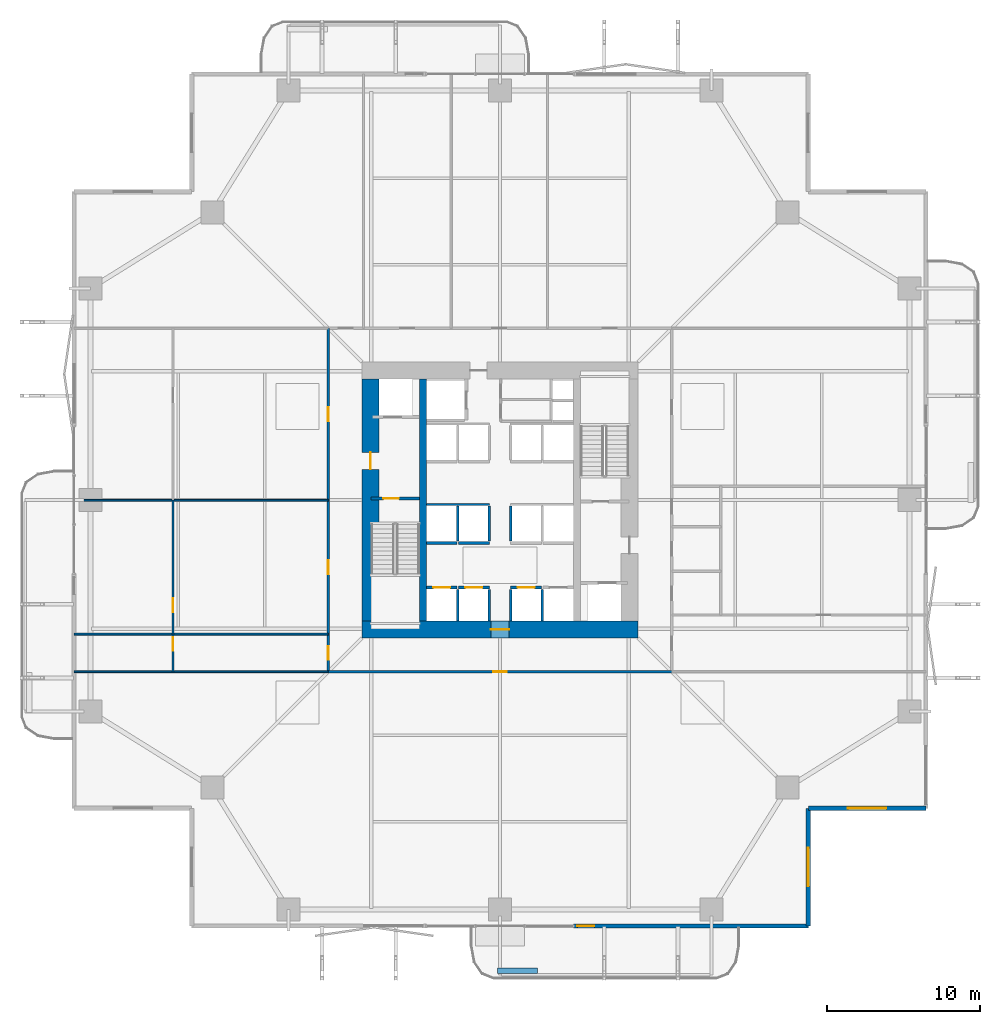
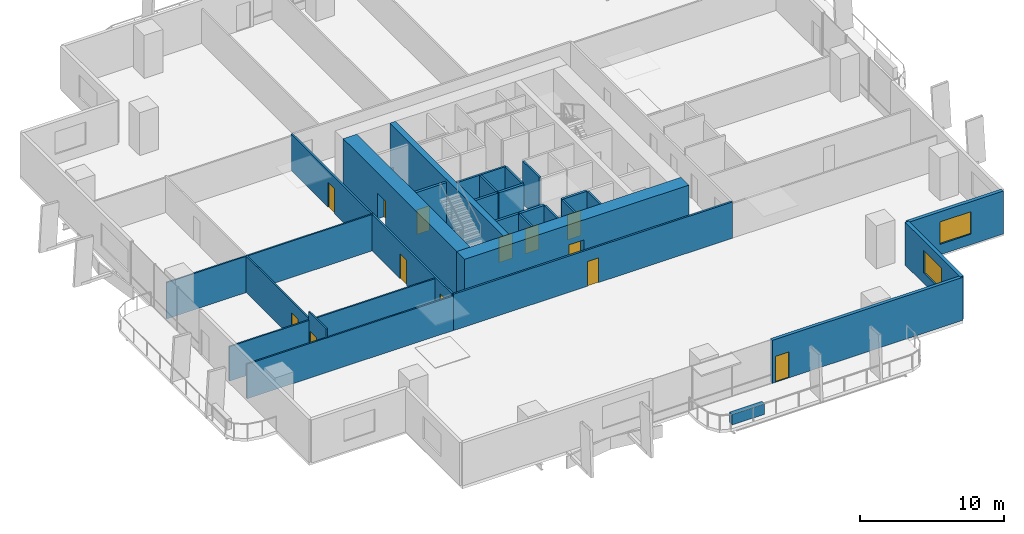
# One storey, part 17 of 24: 28 walls, 13 doors, 2 windows, 15 openings.
"""IFC4 building model written with IfcOpenShell, lengths in metres."""

from ifc_helpers import new_model, si_unit, direction, frame, frame_2d, origin, place, context, subcontext, project, spatial, rectangle, extrude, material, layer, layer_set, type_object, element, fill, save


model = new_model("IFC4")

# Units and contexts
model_context = context("Model", 3, precision=1e-05, world=origin(), true_north=direction((0.0, 1.0)))
body_context = subcontext(model_context, "Body", "Model", "MODEL_VIEW")
ifc_project = project(units=[si_unit("LENGTHUNIT", "METRE"), si_unit("AREAUNIT", "SQUARE_METRE"), si_unit("VOLUMEUNIT", "CUBIC_METRE"), si_unit("PLANEANGLEUNIT", "RADIAN"), si_unit("MASSUNIT", "GRAM", prefix="KILO")], contexts=[model_context])

# Site, building, storey
site_placement = place(None, origin())
site = spatial("IfcSite", under=ifc_project, at=site_placement, CompositionType="ELEMENT")
building_placement = place(site_placement, origin())
building = spatial("IfcBuilding", under=site, at=building_placement, Name="Belovzor Exchange Tower", CompositionType="ELEMENT")
storey_placement = place(building_placement, frame((0.0, 0.0, 45.60009765625)))
storey = spatial("IfcBuildingStorey", under=building, at=storey_placement, Name="L10", CompositionType="ELEMENT", Elevation=45.60009765625)

# Wall
ifc_material_1 = material(Name="Acoustic Plasterboard on Galvanised Studs", Category="gypsum")
ifc_layer_1 = layer(ifc_material_1, 0.1201171875)
ifc_layer_set_1 = layer_set([ifc_layer_1], Name="Acoustic Plasterboard on Galvanised Studs")
wall_type_1 = type_object("IfcWallType", Name="Acoustic Double-Stud Partition Wall 120", PredefinedType="PARTITIONING", material=ifc_layer_set_1)
wall_1_placement = place(storey_placement, frame((1.030029296875, 17.60009765625, 0.0), z_axis=(0.0, 0.0, 1.0), x_axis=(1.0, 0.0, 0.0)))
element("IfcWall", 1, at=wall_1_placement, inside=storey, type_object=wall_type_1, Name="W-P120 Partition Wall W-L10-END-SW", PredefinedType="PARTITIONING", context=body_context, shape_type="SweptSolid", body=[
    extrude(rectangle(XDim=16.570068359375, YDim=0.1201171875, at=frame_2d((8.28515625, 0.0))), origin(), (0.0, 0.0, 1.0), 2.934814453125),
])

# Wall, opening, door
wall_2_placement = place(storey_placement, frame((7.47607421875, 17.60009765625, 0.0), z_axis=(0.0, 0.0, 1.0), x_axis=(0.0, 1.0, 0.0)))
wall_2 = element("IfcWall", 2, at=wall_2_placement, inside=storey, type_object=wall_type_1, Name="W-P120 Partition Wall W-L10-WHDIV-0", PredefinedType="PARTITIONING", context=body_context, shape_type="SweptSolid", body=[
    extrude(rectangle(XDim=2.455810546875, YDim=0.1201171875, at=frame_2d((1.22802734375, 0.0))), origin(), (0.0, 0.0, 1.0), 3.64990234375),
])
opening_1_placement = place(wall_2_placement, frame((1.35595703125, 0.0, 0.0)))
opening_1 = element("IfcOpeningElement", 3, at=opening_1_placement, cuts=wall_2, Name="Opening D-INT-090", PredefinedType="OPENING", context=body_context, shape_type="SweptSolid", body=[
    extrude(rectangle(XDim=0.89990234375, YDim=2.10009765625, at=frame_2d((0.449951171875, 1.050048828125))), frame((0.0, 0.070068359375, 0.0), z_axis=(0.0, -1.0, 0.0), x_axis=(1.0, 0.0, 0.0)), (0.0, 0.0, 1.0), 0.14013671875),
])
ifc_material_2 = material(Name="Veneered Hardwood Acoustic Leaf", Category="wood")
door_type_1 = type_object("IfcDoorType", Name="Trading Suite Acoustic Single Door 900x2100", OperationType="NOTDEFINED", PredefinedType="DOOR", material=ifc_material_2)
door_1_placement = place(opening_1_placement, origin())
door_1 = element("IfcDoor", 4, at=door_1_placement, inside=storey, type_object=door_type_1, Name="D-INT-090 Trading Suite Acoustic Single Door 900x2100", OperationType="SINGLE_SWING_LEFT", OverallHeight=2.10009765625, OverallWidth=0.89990234375, PredefinedType="DOOR", context=body_context, shape_type="SweptSolid", body=[
    extrude(rectangle(XDim=0.89990234375, YDim=2.10009765625, at=frame_2d((0.449951171875, 1.050048828125))), frame((0.0, 0.02490234375, 0.0), z_axis=(0.0, -1.0, 0.0), x_axis=(1.0, 0.0, 0.0)), (0.0, 0.0, 1.0), 0.050048828125),
])
fill(opening_1, door_1)

# Wall
wall_3_placement = place(storey_placement, frame((1.030029296875, 20.055908203125, 0.0), z_axis=(0.0, 0.0, 1.0), x_axis=(1.0, 0.0, 0.0)))
element("IfcWall", 5, at=wall_3_placement, inside=storey, type_object=wall_type_1, Name="W-P120 Partition Wall W-L10-WDIV-1", PredefinedType="PARTITIONING", context=body_context, shape_type="SweptSolid", body=[
    extrude(rectangle(XDim=16.570068359375, YDim=0.1201171875, at=frame_2d((8.28515625, 0.0))), origin(), (0.0, 0.0, 1.0), 2.934814453125),
])

# Wall, opening, door
wall_4_placement = place(storey_placement, frame((7.47607421875, 20.055908203125, 0.0), z_axis=(0.0, 0.0, 1.0), x_axis=(0.0, 1.0, 0.0)))
wall_4 = element("IfcWall", 6, at=wall_4_placement, inside=storey, type_object=wall_type_1, Name="W-P120 Partition Wall W-L10-WHDIV-1", PredefinedType="PARTITIONING", context=body_context, shape_type="SweptSolid", body=[
    extrude(rectangle(XDim=8.731201171875, YDim=0.1201171875, at=frame_2d((4.36572265625, 0.0))), origin(), (0.0, 0.0, 1.0), 3.0849609375),
])
opening_2_placement = place(wall_4_placement, frame((1.43798828125, 0.0, 0.0)))
opening_2 = element("IfcOpeningElement", 7, at=opening_2_placement, cuts=wall_4, Name="Opening D-INT-090", PredefinedType="OPENING", context=body_context, shape_type="SweptSolid", body=[
    extrude(rectangle(XDim=0.89990234375, YDim=2.10009765625, at=frame_2d((0.449951171875, 1.050048828125))), frame((0.0, 0.070068359375, 0.0), z_axis=(0.0, -1.0, 0.0), x_axis=(1.0, 0.0, 0.0)), (0.0, 0.0, 1.0), 0.14013671875),
])
door_2_placement = place(opening_2_placement, origin())
door_2 = element("IfcDoor", 8, at=door_2_placement, inside=storey, type_object=door_type_1, Name="D-INT-090 Trading Suite Acoustic Single Door 900x2100", OperationType="SINGLE_SWING_LEFT", OverallHeight=2.10009765625, OverallWidth=0.89990234375, PredefinedType="DOOR", context=body_context, shape_type="SweptSolid", body=[
    extrude(rectangle(XDim=0.89990234375, YDim=2.10009765625, at=frame_2d((0.449951171875, 1.050048828125))), frame((0.0, 0.02490234375, 0.0), z_axis=(0.0, -1.0, 0.0), x_axis=(1.0, 0.0, 0.0)), (0.0, 0.0, 1.0), 0.050048828125),
])
fill(opening_2, door_2)

# Wall
wall_5_placement = place(storey_placement, frame((1.030029296875, 28.787109375, 0.0), z_axis=(0.0, 0.0, 1.0), x_axis=(1.0, 0.0, 0.0)))
element("IfcWall", 9, at=wall_5_placement, inside=storey, type_object=wall_type_1, Name="W-P120 Partition Wall W-L10-WDIV-2", PredefinedType="PARTITIONING", context=body_context, shape_type="SweptSolid", body=[
    extrude(rectangle(XDim=16.570068359375, YDim=0.1201171875, at=frame_2d((8.28515625, 0.0))), origin(), (0.0, 0.0, 1.0), 3.0849609375),
])

# Wall, opening, door
ifc_material_3 = material(Name="Fire-Rated Gypsum Block and Mineral Wool", Category="gypsum")
ifc_layer_2 = layer(ifc_material_3, 0.14990234375)
ifc_layer_set_2 = layer_set([ifc_layer_2], Name="Fire-Rated Gypsum Block and Mineral Wool")
wall_type_2 = type_object("IfcWallType", Name="Fire-Rated Gypsum Block Corridor Wall 150", PredefinedType="PARTITIONING", material=ifc_layer_set_2)
wall_6_placement = place(storey_placement, frame((17.60009765625, 17.60009765625, 0.0), z_axis=(0.0, 0.0, 1.0), x_axis=(1.0, 0.0, 0.0)))
wall_6 = element("IfcWall", 10, at=wall_6_placement, inside=storey, type_object=wall_type_2, Name="W-P150 Partition Wall W-L10-CS", PredefinedType="PARTITIONING", context=body_context, shape_type="SweptSolid", body=[
    extrude(rectangle(XDim=22.39990234375, YDim=0.14990234375, at=frame_2d((11.199951171875, 0.0))), origin(), (0.0, 0.0, 1.0), 3.0849609375),
])
opening_3_placement = place(wall_6_placement, frame((10.75, 0.0, 0.0)))
opening_3 = element("IfcOpeningElement", 11, at=opening_3_placement, cuts=wall_6, Name="Opening D-INT-090", PredefinedType="OPENING", context=body_context, shape_type="SweptSolid", body=[
    extrude(rectangle(XDim=0.89990234375, YDim=2.10009765625, at=frame_2d((0.449951171875, 1.050048828125))), frame((0.0, 0.0849609375, 0.0), z_axis=(0.0, -1.0, 0.0), x_axis=(1.0, 0.0, 0.0)), (0.0, 0.0, 1.0), 0.169921875),
])
door_3_placement = place(opening_3_placement, origin())
door_3 = element("IfcDoor", 12, at=door_3_placement, inside=storey, type_object=door_type_1, Name="D-INT-090 Trading Suite Acoustic Single Door 900x2100", OperationType="SINGLE_SWING_LEFT", OverallHeight=2.10009765625, OverallWidth=0.89990234375, PredefinedType="DOOR", context=body_context, shape_type="SweptSolid", body=[
    extrude(rectangle(XDim=0.89990234375, YDim=2.10009765625, at=frame_2d((0.449951171875, 1.050048828125))), frame((0.0, 0.02490234375, 0.0), z_axis=(0.0, -1.0, 0.0), x_axis=(1.0, 0.0, 0.0)), (0.0, 0.0, 1.0), 0.050048828125),
])
fill(opening_3, door_3)

# Wall, openings, doors
wall_7_placement = place(storey_placement, frame((17.60009765625, 17.60009765625, 0.0), z_axis=(0.0, 0.0, 1.0), x_axis=(0.0, 1.0, 0.0)))
wall_7 = element("IfcWall", 13, at=wall_7_placement, inside=storey, type_object=wall_type_2, Name="W-P150 Partition Wall W-L10-CW", PredefinedType="PARTITIONING", context=body_context, shape_type="SweptSolid", body=[
    extrude(rectangle(XDim=22.39990234375, YDim=0.14990234375, at=frame_2d((11.199951171875, 0.0))), origin(), (0.0, 0.0, 1.0), 3.0849609375),
])
opening_4_placement = place(wall_7_placement, frame((0.778076171875, 0.0, 0.0)))
opening_4 = element("IfcOpeningElement", 14, at=opening_4_placement, cuts=wall_7, Name="Opening D-INT-090", PredefinedType="OPENING", context=body_context, shape_type="SweptSolid", body=[
    extrude(rectangle(XDim=0.89990234375, YDim=2.10009765625, at=frame_2d((0.449951171875, 1.050048828125))), frame((0.0, 0.0849609375, 0.0), z_axis=(0.0, -1.0, 0.0), x_axis=(1.0, 0.0, 0.0)), (0.0, 0.0, 1.0), 0.169921875),
])
opening_5_placement = place(wall_7_placement, frame((6.3720703125, 0.0, 0.0)))
opening_5 = element("IfcOpeningElement", 15, at=opening_5_placement, cuts=wall_7, Name="Opening D-INT-090", PredefinedType="OPENING", context=body_context, shape_type="SweptSolid", body=[
    extrude(rectangle(XDim=0.89990234375, YDim=2.10009765625, at=frame_2d((0.449951171875, 1.050048828125))), frame((0.0, 0.0849609375, 0.0), z_axis=(0.0, -1.0, 0.0), x_axis=(1.0, 0.0, 0.0)), (0.0, 0.0, 1.0), 0.169921875),
])
opening_6_placement = place(wall_7_placement, frame((16.343017578125, 0.0, 0.0)))
opening_6 = element("IfcOpeningElement", 16, at=opening_6_placement, cuts=wall_7, Name="Opening D-INT-090", PredefinedType="OPENING", context=body_context, shape_type="SweptSolid", body=[
    extrude(rectangle(XDim=0.89990234375, YDim=2.10009765625, at=frame_2d((0.449951171875, 1.050048828125))), frame((0.0, 0.0849609375, 0.0), z_axis=(0.0, -1.0, 0.0), x_axis=(1.0, 0.0, 0.0)), (0.0, 0.0, 1.0), 0.169921875),
])
door_4_placement = place(opening_4_placement, origin())
door_4 = element("IfcDoor", 17, at=door_4_placement, inside=storey, type_object=door_type_1, Name="D-INT-090 Trading Suite Acoustic Single Door 900x2100", OperationType="SINGLE_SWING_LEFT", OverallHeight=2.10009765625, OverallWidth=0.89990234375, PredefinedType="DOOR", context=body_context, shape_type="SweptSolid", body=[
    extrude(rectangle(XDim=0.89990234375, YDim=2.10009765625, at=frame_2d((0.449951171875, 1.050048828125))), frame((0.0, 0.02490234375, 0.0), z_axis=(0.0, -1.0, 0.0), x_axis=(1.0, 0.0, 0.0)), (0.0, 0.0, 1.0), 0.050048828125),
])
fill(opening_4, door_4)
door_5_placement = place(opening_5_placement, origin())
door_5 = element("IfcDoor", 18, at=door_5_placement, inside=storey, type_object=door_type_1, Name="D-INT-090 Trading Suite Acoustic Single Door 900x2100", OperationType="SINGLE_SWING_RIGHT", OverallHeight=2.10009765625, OverallWidth=0.89990234375, PredefinedType="DOOR", context=body_context, shape_type="SweptSolid", body=[
    extrude(rectangle(XDim=0.89990234375, YDim=2.10009765625, at=frame_2d((0.449951171875, 1.050048828125))), frame((0.0, 0.02490234375, 0.0), z_axis=(0.0, -1.0, 0.0), x_axis=(1.0, 0.0, 0.0)), (0.0, 0.0, 1.0), 0.050048828125),
])
fill(opening_5, door_5)
door_6_placement = place(opening_6_placement, origin())
door_6 = element("IfcDoor", 19, at=door_6_placement, inside=storey, type_object=door_type_1, Name="D-INT-090 Trading Suite Acoustic Single Door 900x2100", OperationType="SINGLE_SWING_LEFT", OverallHeight=2.10009765625, OverallWidth=0.89990234375, PredefinedType="DOOR", context=body_context, shape_type="SweptSolid", body=[
    extrude(rectangle(XDim=0.89990234375, YDim=2.10009765625, at=frame_2d((0.449951171875, 1.050048828125))), frame((0.0, 0.02490234375, 0.0), z_axis=(0.0, -1.0, 0.0), x_axis=(1.0, 0.0, 0.0)), (0.0, 0.0, 1.0), 0.050048828125),
])
fill(opening_6, door_6)

# Wall, opening, window
ifc_material_4 = material(Name="Precast concrete C40/50", Category="concrete")
ifc_layer_3 = layer(ifc_material_4, 0.280029296875)
ifc_layer_set_3 = layer_set([ifc_layer_3], Name="Precast concrete C40/50")
wall_type_3 = type_object("IfcWallType", Name="Precast Concrete Notched Corner Frame Wall 280", PredefinedType="SOLIDWALL", material=ifc_layer_set_3)
wall_8_placement = place(storey_placement, frame((56.570068359375, 8.699951171875, 0.0), z_axis=(0.0, 0.0, 1.0), x_axis=(-1.0, 0.0, 0.0)))
wall_8 = element("IfcWall", 20, at=wall_8_placement, inside=storey, type_object=wall_type_3, Name="W-CRN280 Precast Concrete Notched Corner Frame Wall 280 L10", PredefinedType="SOLIDWALL", context=body_context, shape_type="SweptSolid", body=[
    extrude(rectangle(XDim=7.670166015625, YDim=0.280029296875, at=frame_2d((3.8349609375, 0.0))), origin(), (0.0, 0.0, 1.0), 3.64990234375),
])
opening_7_placement = place(wall_8_placement, frame((2.5849609375, 0.0, 0.89990234375)))
opening_7 = element("IfcOpeningElement", 21, at=opening_7_placement, cuts=wall_8, Name="Opening WN-CRN250", PredefinedType="OPENING", context=body_context, shape_type="SweptSolid", body=[
    extrude(rectangle(XDim=2.5, YDim=1.89990234375, at=frame_2d((1.25, 0.949951171875))), frame((0.0, 0.14990234375, 0.0), z_axis=(0.0, -1.0, 0.0), x_axis=(1.0, 0.0, 0.0)), (0.0, 0.0, 1.0), 0.300048828125),
])
ifc_material_5 = material(Name="Thermally Broken Aluminium and Triple Glazing", Category="aluminium")
window_type = type_object("IfcWindowType", Name="Streamline Moderne Corner Wrap Ribbon Window 2500x1900", PartitioningType="SINGLE_PANEL", PredefinedType="WINDOW", material=ifc_material_5)
window_1_placement = place(opening_7_placement, origin())
window_1 = element("IfcWindow", 22, at=window_1_placement, inside=storey, type_object=window_type, Name="WN-CRN250 Streamline Moderne Corner Wrap Ribbon Window 2500x1900", OverallHeight=1.89990234375, OverallWidth=2.5, PartitioningType="SINGLE_PANEL", PredefinedType="WINDOW", context=body_context, shape_type="SweptSolid", body=[
    extrude(rectangle(XDim=2.5, YDim=1.89990234375, at=frame_2d((1.25, 0.949951171875))), frame((0.0, 0.030029296875, 0.0), z_axis=(0.0, -1.0, 0.0), x_axis=(1.0, 0.0, 0.0)), (0.0, 0.0, 1.0), 0.06005859375),
])
fill(opening_7, window_1)

wall_9_placement = place(storey_placement, frame((48.89990234375, 8.699951171875, 0.0), z_axis=(0.0, 0.0, 1.0), x_axis=(0.0, -1.0, 0.0)))
wall_9 = element("IfcWall", 23, at=wall_9_placement, inside=storey, type_object=wall_type_3, Name="W-CRN280 Precast Concrete Notched Corner Frame Wall 280 L10", PredefinedType="SOLIDWALL", context=body_context, shape_type="SweptSolid", body=[
    extrude(rectangle(XDim=7.669921875, YDim=0.280029296875, at=frame_2d((3.8349609375, 0.0))), origin(), (0.0, 0.0, 1.0), 3.64990234375),
])
opening_8_placement = place(wall_9_placement, frame((2.5849609375, 0.0, 0.89990234375)))
opening_8 = element("IfcOpeningElement", 24, at=opening_8_placement, cuts=wall_9, Name="Opening WN-CRN250", PredefinedType="OPENING", context=body_context, shape_type="SweptSolid", body=[
    extrude(rectangle(XDim=2.5, YDim=1.89990234375, at=frame_2d((1.25, 0.949951171875))), frame((0.0, 0.14990234375, 0.0), z_axis=(0.0, -1.0, 0.0), x_axis=(1.0, 0.0, 0.0)), (0.0, 0.0, 1.0), 0.300048828125),
])
window_2_placement = place(opening_8_placement, origin())
window_2 = element("IfcWindow", 25, at=window_2_placement, inside=storey, type_object=window_type, Name="WN-CRN250 Streamline Moderne Corner Wrap Ribbon Window 2500x1900", OverallHeight=1.89990234375, OverallWidth=2.5, PartitioningType="SINGLE_PANEL", PredefinedType="WINDOW", context=body_context, shape_type="SweptSolid", body=[
    extrude(rectangle(XDim=2.5, YDim=1.89990234375, at=frame_2d((1.25, 0.949951171875))), frame((0.0, 0.030029296875, 0.0), z_axis=(0.0, -1.0, 0.0), x_axis=(1.0, 0.0, 0.0)), (0.0, 0.0, 1.0), 0.06005859375),
])
fill(opening_8, window_2)

# Wall, opening, door
ifc_material_6 = material(Name="Precast concrete C40/50", Category="concrete")
ifc_layer_4 = layer(ifc_material_6, 0.260009765625)
ifc_layer_set_4 = layer_set([ifc_layer_4], Name="Precast concrete C40/50")
wall_type_4 = type_object("IfcWallType", Name="Precast Concrete Perimeter Loggia Frame Wall 260", PredefinedType="SOLIDWALL", material=ifc_layer_set_4)
wall_10_placement = place(storey_placement, frame((48.89990234375, 1.030029296875, 0.0), z_axis=(0.0, 0.0, 1.0), x_axis=(-1.0, 0.0, 0.0)))
wall_10 = element("IfcWall", 26, at=wall_10_placement, inside=storey, type_object=wall_type_4, Name="W-EXT260 Precast Concrete Perimeter Loggia Frame Wall 260 L10", PredefinedType="SOLIDWALL", context=body_context, shape_type="SweptSolid", body=[
    extrude(rectangle(XDim=15.2998046875, YDim=0.260009765625, at=frame_2d((7.64990234375, 0.0))), origin(), (0.0, 0.0, 1.0), 3.64990234375),
])
opening_9_placement = place(wall_10_placement, frame((13.949951171875, 0.0, 0.0)))
opening_9 = element("IfcOpeningElement", 27, at=opening_9_placement, cuts=wall_10, Name="Opening D-BAL110", PredefinedType="OPENING", context=body_context, shape_type="SweptSolid", body=[
    extrude(rectangle(XDim=1.10009765625, YDim=2.199951171875, at=frame_2d((0.550048828125, 1.10009765625))), frame((0.0, 0.139892578125, 0.0), z_axis=(0.0, -1.0, 0.0), x_axis=(1.0, 0.0, 0.0)), (0.0, 0.0, 1.0), 0.280029296875),
])
ifc_material_7 = material(Name="Thermally Broken Anodised Aluminium and Laminated Glass", Category="aluminium")
door_type_2 = type_object("IfcDoorType", Name="Planted Loggia Terrace Glazed Door 1100x2200", OperationType="SINGLE_SWING_LEFT", PredefinedType="DOOR", material=ifc_material_7)
door_7_placement = place(opening_9_placement, origin())
door_7 = element("IfcDoor", 28, at=door_7_placement, inside=storey, type_object=door_type_2, Name="D-BAL110 Balcony Terrace Door L10 S", OperationType="SINGLE_SWING_LEFT", OverallHeight=2.199951171875, OverallWidth=1.10009765625, PredefinedType="DOOR", context=body_context, shape_type="SweptSolid", body=[
    extrude(rectangle(XDim=1.10009765625, YDim=2.199951171875, at=frame_2d((0.550048828125, 1.10009765625))), frame((0.0, 0.02490234375, 0.0), z_axis=(0.0, -1.0, 0.0), x_axis=(1.0, 0.0, 0.0)), (0.0, 0.0, 1.0), 0.050048828125),
])
fill(opening_9, door_7)

# Walls
ifc_material_8 = material(Name="Precast concrete C40/50", Category="concrete")
ifc_layer_5 = layer(ifc_material_8, 0.35009765625)
ifc_layer_set_5 = layer_set([ifc_layer_5], Name="Precast concrete C40/50")
wall_type_5 = type_object("IfcWallType", Name="Precast Concrete Structural Tree Planter Trough 350", PredefinedType="PARAPET", material=ifc_layer_set_5)
wall_11_placement = place(storey_placement, frame((28.64990234375, -1.89990234375, 0.0), z_axis=(0.0, 0.0, 1.0), x_axis=(1.0, 0.0, 0.0)))
element("IfcWall", 29, at=wall_11_placement, inside=storey, type_object=wall_type_5, Name="PT-350 Precast Concrete Structural Tree Planter Trough 350 L10", PredefinedType="PARAPET", context=body_context, shape_type="SweptSolid", body=[
    extrude(rectangle(XDim=2.60009765625, YDim=0.35009765625, at=frame_2d((1.300048828125, 0.0))), origin(), (0.0, 0.0, 1.0), 0.89990234375),
])
ifc_material_9 = material(Name="Concrete C50/60", Category="concrete")
ifc_layer_6 = layer(ifc_material_9, 0.449951171875)
ifc_layer_set_6 = layer_set([ifc_layer_6], Name="Concrete C50/60")
wall_type_6 = type_object("IfcWallType", Name="Reinforced Concrete Core Internal Web Wall 450", PredefinedType="SHEAR", material=ifc_layer_set_6)
wall_12_placement = place(storey_placement, frame((23.77490234375, 20.89990234375, 0.0), z_axis=(0.0, 0.0, 1.0), x_axis=(0.0, 1.0, 0.0)))
element("IfcWall", 30, at=wall_12_placement, inside=storey, type_object=wall_type_6, Name="CW-W045 Core Internal Web Wall L10 WL", PredefinedType="SHEAR", context=body_context, shape_type="SweptSolid", body=[
    extrude(rectangle(XDim=15.800048828125, YDim=0.449951171875, at=frame_2d((7.89990234375, 0.0))), origin(), (0.0, 0.0, 1.0), 3.89990234375),
])
ifc_material_10 = material(Name="Concrete C50/60", Category="concrete")
ifc_layer_7 = layer(ifc_material_10, 0.14990234375)
ifc_layer_set_7 = layer_set([ifc_layer_7], Name="Concrete C50/60")
wall_type_7 = type_object("IfcWallType", Name="Reinforced Concrete Core Riser Shear Wall 150", PredefinedType="SHEAR", material=ifc_layer_set_7)
for number, where, z_axis, x_axis, name in (
    (31, (26.050048828125, 20.919921875, 0.0), (0.0, 0.0, 1.0), (0.0, 1.0, 0.0), "W-C150S Core Shaft Wall W-SHD-L10-PLL-1"),
    (32, (28.10009765625, 20.919921875, 0.0), (0.0, 0.0, 1.0), (0.0, 1.0, 0.0), "W-C150S Core Shaft Wall W-SHD-L10-PLL-2"),
    (33, (29.5, 20.919921875, 0.0), (0.0, 0.0, 1.0), (0.0, 1.0, 0.0), "W-C150S Core Shaft Wall W-SHD-L10-PLL-3"),
    (34, (31.550048828125, 20.919921875, 0.0), (0.0, 0.0, 1.0), (0.0, 1.0, 0.0), "W-C150S Core Shaft Wall W-SHD-L10-PLL-4"),
):
    element("IfcWall", number, at=place(storey_placement, frame(where, z_axis=z_axis, x_axis=x_axis)), inside=storey, type_object=wall_type_7, Name=name, PredefinedType="SHEAR", context=body_context, shape_type="SweptSolid", body=[
        extrude(rectangle(XDim=2.06005859375, YDim=0.14990234375, at=frame_2d((1.030029296875, 0.0))), origin(), (0.0, 0.0, 1.0), 3.64990234375),
    ])
wall_13_placement = place(storey_placement, frame((24.02001953125, 28.5, 0.0), z_axis=(0.0, 0.0, 1.0), x_axis=(1.0, 0.0, 0.0)))
element("IfcWall", 35, at=wall_13_placement, inside=storey, type_object=wall_type_7, Name="W-C150S Core Shaft Wall W-SHB-L10-PLM-NW", PredefinedType="SHEAR", context=body_context, shape_type="SweptSolid", body=[
    extrude(rectangle(XDim=4.080078125, YDim=0.14990234375, at=frame_2d((2.0400390625, 0.0))), origin(), (0.0, 0.0, 1.0), 3.64990234375),
])
for number, where, z_axis, x_axis, name in (
    (36, (26.050048828125, 26.1201171875, 0.0), (0.0, 0.0, 1.0), (0.0, 1.0, 0.0), "W-C150S Core Shaft Wall W-SHD-L10-PLM-1"),
    (37, (28.10009765625, 26.1201171875, 0.0), (0.0, 0.0, 1.0), (0.0, 1.0, 0.0), "W-C150S Core Shaft Wall W-SHD-L10-PLM-2"),
    (38, (29.5, 26.1201171875, 0.0), (0.0, 0.0, 1.0), (0.0, 1.0, 0.0), "W-C150S Core Shaft Wall W-SHD-L10-PLM-3"),
):
    element("IfcWall", number, at=place(storey_placement, frame(where, z_axis=z_axis, x_axis=x_axis)), inside=storey, type_object=wall_type_7, Name=name, PredefinedType="SHEAR", context=body_context, shape_type="SweptSolid", body=[
        extrude(rectangle(XDim=2.27978515625, YDim=0.14990234375, at=frame_2d((1.139892578125, 0.0))), origin(), (0.0, 0.0, 1.0), 3.64990234375),
    ])

# Wall, opening, door
ifc_material_11 = material(Name="Concrete C50/60", Category="concrete")
ifc_layer_8 = layer(ifc_material_11, 0.199951171875)
ifc_layer_set_8 = layer_set([ifc_layer_8], Name="Concrete C50/60")
wall_type_8 = type_object("IfcWallType", Name="Reinforced Concrete Core Shaft Shear Wall 200", PredefinedType="SHEAR", material=ifc_layer_set_8)
wall_14_placement = place(storey_placement, frame((20.39990234375, 28.89990234375, 0.0), z_axis=(0.0, 0.0, 1.0), x_axis=(1.0, 0.0, 0.0)))
wall_14 = element("IfcWall", 39, at=wall_14_placement, inside=storey, type_object=wall_type_8, Name="W-C200S Core Shaft Wall W-CORE-L10-FFLW1", PredefinedType="SHEAR", context=body_context, shape_type="SweptSolid", body=[
    extrude(rectangle(XDim=3.150146484375, YDim=0.199951171875, at=frame_2d((1.5751953125, 0.0))), origin(), (0.0, 0.0, 1.0), 3.64990234375),
])
opening_10_placement = place(wall_14_placement, frame((0.800048828125, 0.0, 0.0)))
opening_10 = element("IfcOpeningElement", 40, at=opening_10_placement, cuts=wall_14, Name="Opening D-FD90-100", PredefinedType="OPENING", context=body_context, shape_type="SweptSolid", body=[
    extrude(rectangle(XDim=1.0, YDim=2.10009765625, at=frame_2d((0.5, 1.050048828125))), frame((0.0, 0.10986328125, 0.0), z_axis=(0.0, -1.0, 0.0), x_axis=(1.0, 0.0, 0.0)), (0.0, 0.0, 1.0), 0.219970703125),
])
ifc_material_12 = material(Name="Fire-Rated Galvanised Steel Leaf", Category="steel")
door_type_3 = type_object("IfcDoorType", Name="Protected Stairwell Single Fire Door 1000x2100", OperationType="NOTDEFINED", PredefinedType="DOOR", material=ifc_material_12)
door_8_placement = place(opening_10_placement, origin())
door_8 = element("IfcDoor", 41, at=door_8_placement, inside=storey, type_object=door_type_3, Name="D-FD90-100 Protected Stairwell Single Fire Door 1000x2100", OperationType="SINGLE_SWING_RIGHT", OverallHeight=2.10009765625, OverallWidth=1.0, PredefinedType="DOOR", context=body_context, shape_type="SweptSolid", body=[
    extrude(rectangle(XDim=1.0, YDim=2.10009765625, at=frame_2d((0.5, 1.050048828125))), frame((0.0, 0.02490234375, 0.0), z_axis=(0.0, -1.0, 0.0), x_axis=(1.0, 0.0, 0.0)), (0.0, 0.0, 1.0), 0.050048828125),
])
fill(opening_10, door_8)

wall_15_placement = place(storey_placement, frame((24.0, 23.10009765625, 0.0), z_axis=(0.0, 0.0, 1.0), x_axis=(1.0, 0.0, 0.0)))
wall_15 = element("IfcWall", 42, at=wall_15_placement, inside=storey, type_object=wall_type_8, Name="W-C200S Core Shaft Wall W-SH-L10-PL-L1", PredefinedType="SHEAR", context=body_context, shape_type="SweptSolid", body=[
    extrude(rectangle(XDim=2.0, YDim=0.199951171875, at=frame_2d((1.0, 0.0))), origin(), (0.0, 0.0, 1.0), 3.64990234375),
])
opening_11_placement = place(wall_15_placement, frame((0.449951171875, 0.0, 0.0)))
opening_11 = element("IfcOpeningElement", 43, at=opening_11_placement, cuts=wall_15, Name="Opening LD-110", PredefinedType="OPENING", context=body_context, shape_type="SweptSolid", body=[
    extrude(rectangle(XDim=1.10009765625, YDim=2.14990234375, at=frame_2d((0.550048828125, 1.074951171875))), frame((0.0, 0.10986328125, 0.0), z_axis=(0.0, -1.0, 0.0), x_axis=(1.0, 0.0, 0.0)), (0.0, 0.0, 1.0), 0.219970703125),
])
ifc_material_13 = material(Name="Stainless Steel Grade 304", Category="steel")
door_type_4 = type_object("IfcDoorType", Name="Automated Stainless Steel Lift Landing Door 1100x2150", OperationType="SLIDING_TO_RIGHT", PredefinedType="DOOR", material=ifc_material_13)
door_9_placement = place(opening_11_placement, origin())
door_9 = element("IfcDoor", 44, at=door_9_placement, inside=storey, type_object=door_type_4, Name="LD-110 Automated Stainless Steel Lift Landing Door 1100x2150", OperationType="SLIDING_TO_RIGHT", OverallHeight=2.14990234375, OverallWidth=1.10009765625, PredefinedType="DOOR", context=body_context, shape_type="SweptSolid", body=[
    extrude(rectangle(XDim=1.10009765625, YDim=2.14990234375, at=frame_2d((0.550048828125, 1.074951171875))), frame((0.0, 0.02490234375, 0.0), z_axis=(0.0, -1.0, 0.0), x_axis=(1.0, 0.0, 0.0)), (0.0, 0.0, 1.0), 0.050048828125),
])
fill(opening_11, door_9)

wall_16_placement = place(storey_placement, frame((26.10009765625, 23.10009765625, 0.0), z_axis=(0.0, 0.0, 1.0), x_axis=(1.0, 0.0, 0.0)))
wall_16 = element("IfcWall", 45, at=wall_16_placement, inside=storey, type_object=wall_type_8, Name="W-C200S Core Shaft Wall W-SH-L10-PL-L2", PredefinedType="SHEAR", context=body_context, shape_type="SweptSolid", body=[
    extrude(rectangle(XDim=2.0, YDim=0.199951171875, at=frame_2d((1.0, 0.0))), origin(), (0.0, 0.0, 1.0), 3.64990234375),
])
opening_12_placement = place(wall_16_placement, frame((0.449951171875, 0.0, 0.0)))
opening_12 = element("IfcOpeningElement", 46, at=opening_12_placement, cuts=wall_16, Name="Opening LD-110", PredefinedType="OPENING", context=body_context, shape_type="SweptSolid", body=[
    extrude(rectangle(XDim=1.10009765625, YDim=2.14990234375, at=frame_2d((0.550048828125, 1.074951171875))), frame((0.0, 0.10986328125, 0.0), z_axis=(0.0, -1.0, 0.0), x_axis=(1.0, 0.0, 0.0)), (0.0, 0.0, 1.0), 0.219970703125),
])
door_10_placement = place(opening_12_placement, origin())
door_10 = element("IfcDoor", 47, at=door_10_placement, inside=storey, type_object=door_type_4, Name="LD-110 Automated Stainless Steel Lift Landing Door 1100x2150", OperationType="SLIDING_TO_RIGHT", OverallHeight=2.14990234375, OverallWidth=1.10009765625, PredefinedType="DOOR", context=body_context, shape_type="SweptSolid", body=[
    extrude(rectangle(XDim=1.10009765625, YDim=2.14990234375, at=frame_2d((0.550048828125, 1.074951171875))), frame((0.0, 0.02490234375, 0.0), z_axis=(0.0, -1.0, 0.0), x_axis=(1.0, 0.0, 0.0)), (0.0, 0.0, 1.0), 0.050048828125),
])
fill(opening_12, door_10)

wall_17_placement = place(storey_placement, frame((29.5, 23.10009765625, 0.0), z_axis=(0.0, 0.0, 1.0), x_axis=(1.0, 0.0, 0.0)))
wall_17 = element("IfcWall", 48, at=wall_17_placement, inside=storey, type_object=wall_type_8, Name="W-C200S Core Shaft Wall W-SH-L10-PL-L3", PredefinedType="SHEAR", context=body_context, shape_type="SweptSolid", body=[
    extrude(rectangle(XDim=2.0, YDim=0.199951171875, at=frame_2d((1.0, 0.0))), origin(), (0.0, 0.0, 1.0), 3.64990234375),
])
opening_13_placement = place(wall_17_placement, frame((0.449951171875, 0.0, 0.0)))
opening_13 = element("IfcOpeningElement", 49, at=opening_13_placement, cuts=wall_17, Name="Opening LD-110", PredefinedType="OPENING", context=body_context, shape_type="SweptSolid", body=[
    extrude(rectangle(XDim=1.10009765625, YDim=2.14990234375, at=frame_2d((0.550048828125, 1.074951171875))), frame((0.0, 0.10986328125, 0.0), z_axis=(0.0, -1.0, 0.0), x_axis=(1.0, 0.0, 0.0)), (0.0, 0.0, 1.0), 0.219970703125),
])
door_11_placement = place(opening_13_placement, origin())
door_11 = element("IfcDoor", 50, at=door_11_placement, inside=storey, type_object=door_type_4, Name="LD-110 Automated Stainless Steel Lift Landing Door 1100x2150", OperationType="SLIDING_TO_RIGHT", OverallHeight=2.14990234375, OverallWidth=1.10009765625, PredefinedType="DOOR", context=body_context, shape_type="SweptSolid", body=[
    extrude(rectangle(XDim=1.10009765625, YDim=2.14990234375, at=frame_2d((0.550048828125, 1.074951171875))), frame((0.0, 0.02490234375, 0.0), z_axis=(0.0, -1.0, 0.0), x_axis=(1.0, 0.0, 0.0)), (0.0, 0.0, 1.0), 0.050048828125),
])
fill(opening_13, door_11)

# Walls
for number, where, z_axis, x_axis, name in (
    (51, (24.0, 26.0, 0.0), (0.0, 0.0, 1.0), (1.0, 0.0, 0.0), "W-C200S Core Shaft Wall W-SH-L10-PL-M1"),
    (52, (26.10009765625, 26.0, 0.0), (0.0, 0.0, 1.0), (1.0, 0.0, 0.0), "W-C200S Core Shaft Wall W-SH-L10-PL-M2"),
):
    element("IfcWall", number, at=place(storey_placement, frame(where, z_axis=z_axis, x_axis=x_axis)), inside=storey, type_object=wall_type_8, Name=name, PredefinedType="SHEAR", context=body_context, shape_type="SweptSolid", body=[
        extrude(rectangle(XDim=2.0, YDim=0.199951171875, at=frame_2d((1.0, 0.0))), origin(), (0.0, 0.0, 1.0), 3.64990234375),
    ])

# Wall, opening, door
ifc_material_14 = material(Name="Concrete C60/75", Category="concrete")
ifc_layer_9 = layer(ifc_material_14, 1.10009765625)
ifc_layer_set_9 = layer_set([ifc_layer_9], Name="Concrete C60/75")
wall_type_9 = type_object("IfcWallType", Name="Reinforced Concrete Core Shear Wall 1100", PredefinedType="SHEAR", material=ifc_layer_set_9)
wall_18_placement = place(storey_placement, frame((19.800048828125, 20.35009765625, 0.0), z_axis=(0.0, 0.0, 1.0), x_axis=(1.0, 0.0, 0.0)))
wall_18 = element("IfcWall", 53, at=wall_18_placement, inside=storey, type_object=wall_type_9, Name="CW-S110 Core Shear Wall L10 S", PredefinedType="SHEAR", context=body_context, shape_type="SweptSolid", body=[
    extrude(rectangle(XDim=18.0, YDim=1.10009765625, at=frame_2d((9.0, 0.0))), origin(), (0.0, 0.0, 1.0), 3.89990234375),
])
opening_14_placement = place(wall_18_placement, frame((8.39990234375, 0.0, 0.0)))
opening_14 = element("IfcOpeningElement", 54, at=opening_14_placement, cuts=wall_18, Name="Opening D-FD90-120", PredefinedType="OPENING", context=body_context, shape_type="SweptSolid", body=[
    extrude(rectangle(XDim=1.199951171875, YDim=2.199951171875, at=frame_2d((0.60009765625, 1.10009765625))), frame((0.0, 0.56005859375, 0.0), z_axis=(0.0, -1.0, 0.0), x_axis=(1.0, 0.0, 0.0)), (0.0, 0.0, 1.0), 1.1201171875),
])
ifc_material_15 = material(Name="Fire-Rated Galvanised Steel Leaf", Category="steel")
door_type_5 = type_object("IfcDoorType", Name="Heavy Plant & Foyer Fire Door 1200x2200", OperationType="NOTDEFINED", PredefinedType="DOOR", material=ifc_material_15)
door_12_placement = place(opening_14_placement, origin())
door_12 = element("IfcDoor", 55, at=door_12_placement, inside=storey, type_object=door_type_5, Name="D-FD90-120 Heavy Plant & Foyer Fire Door 1200x2200", OperationType="SINGLE_SWING_LEFT", OverallHeight=2.199951171875, OverallWidth=1.199951171875, PredefinedType="DOOR", context=body_context, shape_type="SweptSolid", body=[
    extrude(rectangle(XDim=1.199951171875, YDim=2.199951171875, at=frame_2d((0.60009765625, 1.10009765625))), frame((0.0, 0.02490234375, 0.0), z_axis=(0.0, -1.0, 0.0), x_axis=(1.0, 0.0, 0.0)), (0.0, 0.0, 1.0), 0.050048828125),
])
fill(opening_14, door_12)

wall_19_placement = place(storey_placement, frame((20.35009765625, 20.89990234375, 0.0), z_axis=(0.0, 0.0, 1.0), x_axis=(0.0, 1.0, 0.0)))
wall_19 = element("IfcWall", 56, at=wall_19_placement, inside=storey, type_object=wall_type_9, Name="CW-S110 Core Shear Wall L10 W", PredefinedType="SHEAR", context=body_context, shape_type="SweptSolid", body=[
    extrude(rectangle(XDim=15.800048828125, YDim=1.10009765625, at=frame_2d((7.89990234375, 0.0))), origin(), (0.0, 0.0, 1.0), 3.89990234375),
])
opening_15_placement = place(wall_19_placement, frame((9.89990234375, 0.0, 0.0)))
opening_15 = element("IfcOpeningElement", 57, at=opening_15_placement, cuts=wall_19, Name="Opening D-FD90-110", PredefinedType="OPENING", context=body_context, shape_type="SweptSolid", body=[
    extrude(rectangle(XDim=1.10009765625, YDim=2.14990234375, at=frame_2d((0.550048828125, 1.074951171875))), frame((0.0, 0.56005859375, 0.0), z_axis=(0.0, -1.0, 0.0), x_axis=(1.0, 0.0, 0.0)), (0.0, 0.0, 1.0), 1.1201171875),
])
ifc_material_16 = material(Name="Fire-Rated Galvanised Steel Leaf", Category="steel")
door_type_6 = type_object("IfcDoorType", Name="Protected Escape Vestibule Fire Door 1100x2150", OperationType="NOTDEFINED", PredefinedType="DOOR", material=ifc_material_16)
door_13_placement = place(opening_15_placement, origin())
door_13 = element("IfcDoor", 58, at=door_13_placement, inside=storey, type_object=door_type_6, Name="D-FD90-110 Protected Escape Vestibule Fire Door 1100x2150", OperationType="SINGLE_SWING_LEFT", OverallHeight=2.14990234375, OverallWidth=1.10009765625, PredefinedType="DOOR", context=body_context, shape_type="SweptSolid", body=[
    extrude(rectangle(XDim=1.10009765625, YDim=2.14990234375, at=frame_2d((0.550048828125, 1.074951171875))), frame((0.0, 0.02490234375, 0.0), z_axis=(0.0, -1.0, 0.0), x_axis=(1.0, 0.0, 0.0)), (0.0, 0.0, 1.0), 0.050048828125),
])
fill(opening_15, door_13)

save(model, "model.ifc")
